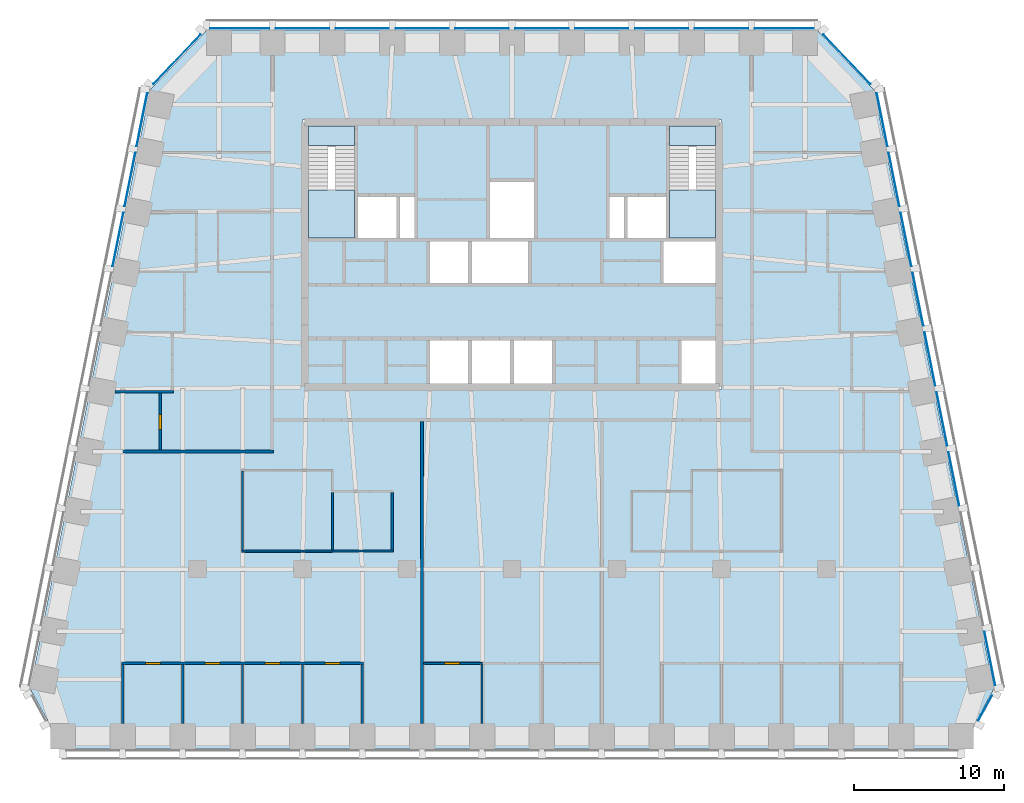
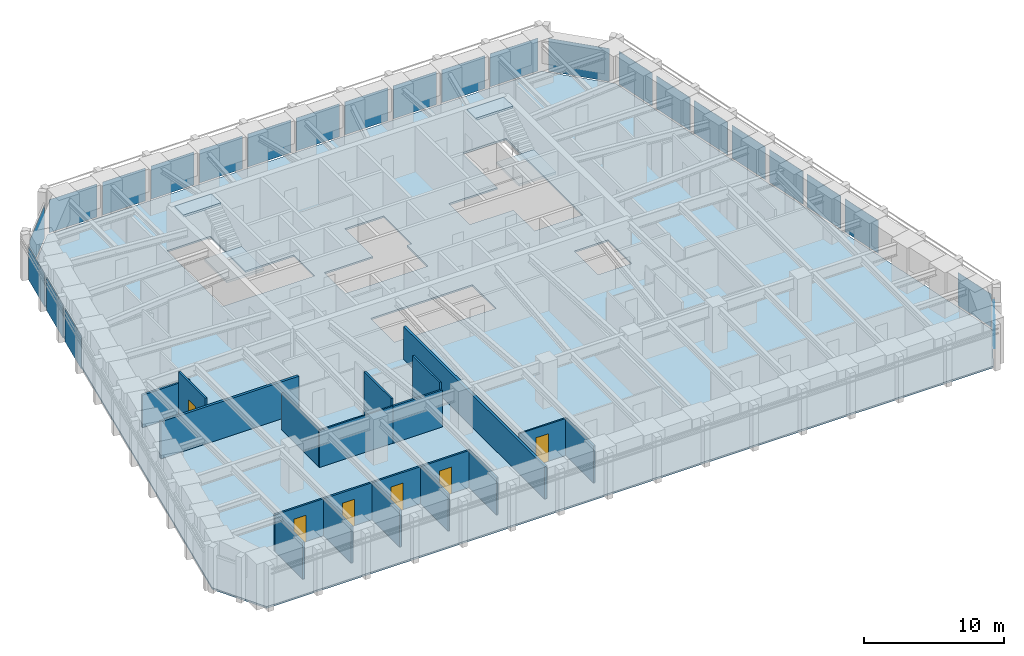
# One storey, part 5 of 11: 24 plates, 17 walls, 6 doors, 5 slabs, 6 openings, 8 elements without a shape of their own.
"""IFC4 building model written with IfcOpenShell, lengths in metres."""

from ifc_helpers import new_model, si_unit, direction, frame, frame_2d, origin, origin_2d, place, context, subcontext, project, spatial, polyline, rectangle, outline, extrude, material, layer, layer_set, type_object, element, fill, aggregate, save


model = new_model("IFC4")

# Units and contexts
model_context = context("Model", 3, precision=1e-05, world=origin(), true_north=direction((0.0, 1.0)))
body_context = subcontext(model_context, "Body", "Model", "MODEL_VIEW")
ifc_project = project(units=[si_unit("LENGTHUNIT", "METRE"), si_unit("AREAUNIT", "SQUARE_METRE"), si_unit("VOLUMEUNIT", "CUBIC_METRE"), si_unit("PLANEANGLEUNIT", "RADIAN"), si_unit("MASSUNIT", "GRAM", prefix="KILO")], contexts=[model_context])

# Site, building, storey
site_placement = place(None, origin())
site = spatial("IfcSite", under=ifc_project, at=site_placement, CompositionType="ELEMENT")
building_placement = place(site_placement, origin())
building = spatial("IfcBuilding", under=site, at=building_placement, Name="Isbrekke Arena Tower", CompositionType="ELEMENT")
storey_placement = place(building_placement, frame((0.0, 0.0, 248.0)))
storey = spatial("IfcBuildingStorey", under=building, at=storey_placement, Name="L57", CompositionType="ELEMENT", Elevation=248.0)

# Curtain wall, plate
ifc_material_1 = material(Name="Glazed aluminium curtain wall", Category="aluminium")
curtain_wall_type = type_object("IfcCurtainWallType", Name="CWT TOWER CURTAIN WALL TOP ZONE", PredefinedType="USERDEFINED", material=ifc_material_1)
curtain_wall_1_placement = place(storey_placement, origin())
curtain_wall_1 = element("IfcCurtainWall", 1, at=curtain_wall_1_placement, inside=storey, type_object=curtain_wall_type, Name="CWT curtain wall L57-SE", ObjectType="TOWER CURTAIN WALL TOP ZONE", PredefinedType="USERDEFINED")
ifc_material_2 = material(Name="Triple-glazed clear glass unit", Category="glass")
ifc_layer_1 = layer(ifc_material_2, 0.031982421875)
ifc_layer_set_1 = layer_set([ifc_layer_1], Name="CWT-P VISION PANEL")
plate_type = type_object("IfcPlateType", Name="CWT-P VISION PANEL", PredefinedType="CURTAIN_PANEL", material=ifc_layer_set_1)
plate_1_placement = place(storey_placement, frame((31.604248046875, -15.29052734375, 0.02001953125), z_axis=(0.0, 0.0, 1.0), x_axis=(0.481918749773, 0.876215908676, 0.0)))
plate_1 = element("IfcPlate", 2, at=plate_1_placement, type_object=plate_type, Name="CWT-P panel 1", PredefinedType="CURTAIN_PANEL", context=body_context, shape_type="SweptSolid", body=[
    extrude(rectangle(XDim=1.876220703125, YDim=0.031982421875, at=origin_2d()), origin(), (0.0, 0.0, 1.0), 2.8798828125),
])
aggregate(curtain_wall_1, [plate_1])

# Curtain wall, plates
curtain_wall_2_placement = place(storey_placement, origin())
curtain_wall_2 = element("IfcCurtainWall", 3, at=curtain_wall_2_placement, inside=storey, type_object=curtain_wall_type, Name="CWT curtain wall L57-E", ObjectType="TOWER CURTAIN WALL TOP ZONE", PredefinedType="USERDEFINED")
plate_2_placement = place(storey_placement, frame((31.922607421875, -11.9755859375, 0.02001953125), z_axis=(0.0, 0.0, 1.0), x_axis=(-0.196116135138, 0.980580675691, 0.0)))
plate_2 = element("IfcPlate", 4, at=plate_2_placement, type_object=plate_type, Name="CWT-P panel 1", PredefinedType="CURTAIN_PANEL", context=body_context, shape_type="SweptSolid", body=[
    extrude(rectangle(XDim=3.629150390625, YDim=0.031982421875, at=origin_2d()), origin(), (0.0, 0.0, 1.0), 2.8798828125),
])
plate_3_placement = place(storey_placement, frame((29.5224609375, 0.0244140625, 0.02001953125), z_axis=(0.0, 0.0, 1.0), x_axis=(-0.196116135138, 0.980580675691, 0.0)))
plate_3 = element("IfcPlate", 5, at=plate_3_placement, type_object=plate_type, Name="CWT-P panel 4", PredefinedType="CURTAIN_PANEL", context=body_context, shape_type="SweptSolid", body=[
    extrude(rectangle(XDim=3.629150390625, YDim=0.031982421875, at=origin_2d()), origin(), (0.0, 0.0, 1.0), 2.8798828125),
])
plate_4_placement = place(storey_placement, frame((28.72265625, 4.0244140625, 0.02001953125), z_axis=(0.0, 0.0, 1.0), x_axis=(-0.196116135138, 0.980580675691, 0.0)))
plate_4 = element("IfcPlate", 6, at=plate_4_placement, type_object=plate_type, Name="CWT-P panel 5", PredefinedType="CURTAIN_PANEL", context=body_context, shape_type="SweptSolid", body=[
    extrude(rectangle(XDim=3.629150390625, YDim=0.031982421875, at=origin_2d()), origin(), (0.0, 0.0, 1.0), 2.8798828125),
])
plate_5_placement = place(storey_placement, frame((27.922607421875, 8.0244140625, 0.02001953125), z_axis=(0.0, 0.0, 1.0), x_axis=(-0.196116135138, 0.980580675691, 0.0)))
plate_5 = element("IfcPlate", 7, at=plate_5_placement, type_object=plate_type, Name="CWT-P panel 6", PredefinedType="CURTAIN_PANEL", context=body_context, shape_type="SweptSolid", body=[
    extrude(rectangle(XDim=3.629150390625, YDim=0.031982421875, at=origin_2d()), origin(), (0.0, 0.0, 1.0), 2.8798828125),
])
plate_6_placement = place(storey_placement, frame((27.12255859375, 12.0244140625, 0.02001953125), z_axis=(0.0, 0.0, 1.0), x_axis=(-0.196116135138, 0.980580675691, 0.0)))
plate_6 = element("IfcPlate", 8, at=plate_6_placement, type_object=plate_type, Name="CWT-P panel 7", PredefinedType="CURTAIN_PANEL", context=body_context, shape_type="SweptSolid", body=[
    extrude(rectangle(XDim=3.629150390625, YDim=0.031982421875, at=origin_2d()), origin(), (0.0, 0.0, 1.0), 2.8798828125),
])
plate_7_placement = place(storey_placement, frame((26.322509765625, 16.0244140625, 0.02001953125), z_axis=(0.0, 0.0, 1.0), x_axis=(-0.196116135138, 0.980580675691, 0.0)))
plate_7 = element("IfcPlate", 9, at=plate_7_placement, type_object=plate_type, Name="CWT-P panel 8", PredefinedType="CURTAIN_PANEL", context=body_context, shape_type="SweptSolid", body=[
    extrude(rectangle(XDim=3.629150390625, YDim=0.031982421875, at=origin_2d()), origin(), (0.0, 0.0, 1.0), 2.8798828125),
])
plate_8_placement = place(storey_placement, frame((25.5224609375, 20.0244140625, 0.02001953125), z_axis=(0.0, 0.0, 1.0), x_axis=(-0.196116135138, 0.980580675691, 0.0)))
plate_8 = element("IfcPlate", 10, at=plate_8_placement, type_object=plate_type, Name="CWT-P panel 9", PredefinedType="CURTAIN_PANEL", context=body_context, shape_type="SweptSolid", body=[
    extrude(rectangle(XDim=3.629150390625, YDim=0.031982421875, at=origin_2d()), origin(), (0.0, 0.0, 1.0), 2.8798828125),
])
plate_9_placement = place(storey_placement, frame((24.72265625, 24.0244140625, 0.02001953125), z_axis=(0.0, 0.0, 1.0), x_axis=(-0.196116135138, 0.980580675691, 0.0)))
plate_9 = element("IfcPlate", 11, at=plate_9_placement, type_object=plate_type, Name="CWT-P panel 10", PredefinedType="CURTAIN_PANEL", context=body_context, shape_type="SweptSolid", body=[
    extrude(rectangle(XDim=3.629150390625, YDim=0.031982421875, at=origin_2d()), origin(), (0.0, 0.0, 1.0), 2.8798828125),
])
aggregate(curtain_wall_2, [plate_2, plate_3, plate_4, plate_5, plate_6, plate_7, plate_8, plate_9])

# Curtain wall, plate
curtain_wall_3_placement = place(storey_placement, origin())
curtain_wall_3 = element("IfcCurtainWall", 12, at=curtain_wall_3_placement, inside=storey, type_object=curtain_wall_type, Name="CWT curtain wall L57-EN", ObjectType="TOWER CURTAIN WALL TOP ZONE", PredefinedType="USERDEFINED")
plate_10_placement = place(storey_placement, frame((22.374755859375, 28.06640625, 0.02001953125), z_axis=(0.0, 0.0, 1.0), x_axis=(-0.68874946192, 0.72499943359, 0.0)))
plate_10 = element("IfcPlate", 13, at=plate_10_placement, type_object=plate_type, Name="CWT-P panel 1", PredefinedType="CURTAIN_PANEL", context=body_context, shape_type="SweptSolid", body=[
    extrude(rectangle(XDim=4.558349609375, YDim=0.031982421875, at=origin_2d()), origin(), (0.0, 0.0, 1.0), 2.8798828125),
])
aggregate(curtain_wall_3, [plate_10])

# Curtain wall, plates
curtain_wall_4_placement = place(storey_placement, origin())
curtain_wall_4 = element("IfcCurtainWall", 14, at=curtain_wall_4_placement, inside=storey, type_object=curtain_wall_type, Name="CWT curtain wall L57-N", ObjectType="TOWER CURTAIN WALL TOP ZONE", PredefinedType="USERDEFINED")
plate_11_placement = place(storey_placement, frame((18.199951171875, 30.125, 0.02001953125), z_axis=(0.0, 0.0, 1.0), x_axis=(-1.0, 0.0, 0.0)))
plate_11 = element("IfcPlate", 15, at=plate_11_placement, type_object=plate_type, Name="CWT-P panel 1", PredefinedType="CURTAIN_PANEL", context=body_context, shape_type="SweptSolid", body=[
    extrude(rectangle(XDim=3.949951171875, YDim=0.031982421875, at=origin_2d()), origin(), (0.0, 0.0, 1.0), 2.8798828125),
])
plate_12_placement = place(storey_placement, frame((14.0, 30.125, 0.02001953125), z_axis=(0.0, 0.0, 1.0), x_axis=(-1.0, 0.0, 0.0)))
plate_12 = element("IfcPlate", 16, at=plate_12_placement, type_object=plate_type, Name="CWT-P panel 2", PredefinedType="CURTAIN_PANEL", context=body_context, shape_type="SweptSolid", body=[
    extrude(rectangle(XDim=3.550048828125, YDim=0.031982421875, at=origin_2d()), origin(), (0.0, 0.0, 1.0), 2.8798828125),
])
plate_13_placement = place(storey_placement, frame((10.0, 30.125, 0.02001953125), z_axis=(0.0, 0.0, 1.0), x_axis=(-1.0, 0.0, 0.0)))
plate_13 = element("IfcPlate", 17, at=plate_13_placement, type_object=plate_type, Name="CWT-P panel 3", PredefinedType="CURTAIN_PANEL", context=body_context, shape_type="SweptSolid", body=[
    extrude(rectangle(XDim=3.550048828125, YDim=0.031982421875, at=origin_2d()), origin(), (0.0, 0.0, 1.0), 2.8798828125),
])
plate_14_placement = place(storey_placement, frame((6.0, 30.125, 0.02001953125), z_axis=(0.0, 0.0, 1.0), x_axis=(-1.0, 0.0, 0.0)))
plate_14 = element("IfcPlate", 18, at=plate_14_placement, type_object=plate_type, Name="CWT-P panel 4", PredefinedType="CURTAIN_PANEL", context=body_context, shape_type="SweptSolid", body=[
    extrude(rectangle(XDim=3.550048828125, YDim=0.031982421875, at=origin_2d()), origin(), (0.0, 0.0, 1.0), 2.8798828125),
])
plate_15_placement = place(storey_placement, frame((2.0, 30.125, 0.02001953125), z_axis=(0.0, 0.0, 1.0), x_axis=(-1.0, 0.0, 0.0)))
plate_15 = element("IfcPlate", 19, at=plate_15_placement, type_object=plate_type, Name="CWT-P panel 5", PredefinedType="CURTAIN_PANEL", context=body_context, shape_type="SweptSolid", body=[
    extrude(rectangle(XDim=3.550048828125, YDim=0.031982421875, at=origin_2d()), origin(), (0.0, 0.0, 1.0), 2.8798828125),
])
plate_16_placement = place(storey_placement, frame((-2.0, 30.125, 0.02001953125), z_axis=(0.0, 0.0, 1.0), x_axis=(-1.0, 0.0, 0.0)))
plate_16 = element("IfcPlate", 20, at=plate_16_placement, type_object=plate_type, Name="CWT-P panel 6", PredefinedType="CURTAIN_PANEL", context=body_context, shape_type="SweptSolid", body=[
    extrude(rectangle(XDim=3.550048828125, YDim=0.031982421875, at=origin_2d()), origin(), (0.0, 0.0, 1.0), 2.8798828125),
])
plate_17_placement = place(storey_placement, frame((-6.0, 30.125, 0.02001953125), z_axis=(0.0, 0.0, 1.0), x_axis=(-1.0, 0.0, 0.0)))
plate_17 = element("IfcPlate", 21, at=plate_17_placement, type_object=plate_type, Name="CWT-P panel 7", PredefinedType="CURTAIN_PANEL", context=body_context, shape_type="SweptSolid", body=[
    extrude(rectangle(XDim=3.550048828125, YDim=0.031982421875, at=origin_2d()), origin(), (0.0, 0.0, 1.0), 2.8798828125),
])
plate_18_placement = place(storey_placement, frame((-10.0, 30.125, 0.02001953125), z_axis=(0.0, 0.0, 1.0), x_axis=(-1.0, 0.0, 0.0)))
plate_18 = element("IfcPlate", 22, at=plate_18_placement, type_object=plate_type, Name="CWT-P panel 8", PredefinedType="CURTAIN_PANEL", context=body_context, shape_type="SweptSolid", body=[
    extrude(rectangle(XDim=3.550048828125, YDim=0.031982421875, at=origin_2d()), origin(), (0.0, 0.0, 1.0), 2.8798828125),
])
plate_19_placement = place(storey_placement, frame((-14.0, 30.125, 0.02001953125), z_axis=(0.0, 0.0, 1.0), x_axis=(-1.0, 0.0, 0.0)))
plate_19 = element("IfcPlate", 23, at=plate_19_placement, type_object=plate_type, Name="CWT-P panel 9", PredefinedType="CURTAIN_PANEL", context=body_context, shape_type="SweptSolid", body=[
    extrude(rectangle(XDim=3.550048828125, YDim=0.031982421875, at=origin_2d()), origin(), (0.0, 0.0, 1.0), 2.8798828125),
])
plate_20_placement = place(storey_placement, frame((-18.199951171875, 30.125, 0.02001953125), z_axis=(0.0, 0.0, 1.0), x_axis=(-1.0, 0.0, 0.0)))
plate_20 = element("IfcPlate", 24, at=plate_20_placement, type_object=plate_type, Name="CWT-P panel 10", PredefinedType="CURTAIN_PANEL", context=body_context, shape_type="SweptSolid", body=[
    extrude(rectangle(XDim=3.949951171875, YDim=0.031982421875, at=origin_2d()), origin(), (0.0, 0.0, 1.0), 2.8798828125),
])
aggregate(curtain_wall_4, [plate_11, plate_12, plate_13, plate_14, plate_15, plate_16, plate_17, plate_18, plate_19, plate_20])

# Curtain wall, plate
curtain_wall_5_placement = place(storey_placement, origin())
curtain_wall_5 = element("IfcCurtainWall", 25, at=curtain_wall_5_placement, inside=storey, type_object=curtain_wall_type, Name="CWT curtain wall L57-NW", ObjectType="TOWER CURTAIN WALL TOP ZONE", PredefinedType="USERDEFINED")
plate_21_placement = place(storey_placement, frame((-22.37451171875, 28.066650390625, 0.02001953125), z_axis=(0.0, 0.0, 1.0), x_axis=(-0.68874946192, -0.72499943359, 0.0)))
plate_21 = element("IfcPlate", 26, at=plate_21_placement, type_object=plate_type, Name="CWT-P panel 1", PredefinedType="CURTAIN_PANEL", context=body_context, shape_type="SweptSolid", body=[
    extrude(rectangle(XDim=4.557373046875, YDim=0.031982421875, at=origin_2d()), origin(), (0.0, 0.0, 1.0), 2.8798828125),
])
aggregate(curtain_wall_5, [plate_21])

# Curtain wall, plates
curtain_wall_6_placement = place(storey_placement, origin())
curtain_wall_6 = element("IfcCurtainWall", 27, at=curtain_wall_6_placement, inside=storey, type_object=curtain_wall_type, Name="CWT curtain wall L57-W", ObjectType="TOWER CURTAIN WALL TOP ZONE", PredefinedType="USERDEFINED")
plate_22_placement = place(storey_placement, frame((-24.72265625, 24.0244140625, 0.02001953125), z_axis=(0.0, 0.0, 1.0), x_axis=(-0.196116135138, -0.980580675691, 0.0)))
plate_22 = element("IfcPlate", 28, at=plate_22_placement, type_object=plate_type, Name="CWT-P panel 1", PredefinedType="CURTAIN_PANEL", context=body_context, shape_type="SweptSolid", body=[
    extrude(rectangle(XDim=3.629150390625, YDim=0.031982421875, at=origin_2d()), origin(), (0.0, 0.0, 1.0), 2.8798828125),
])
plate_23_placement = place(storey_placement, frame((-25.5224609375, 20.0244140625, 0.02001953125), z_axis=(0.0, 0.0, 1.0), x_axis=(-0.196116135138, -0.980580675691, 0.0)))
plate_23 = element("IfcPlate", 29, at=plate_23_placement, type_object=plate_type, Name="CWT-P panel 2", PredefinedType="CURTAIN_PANEL", context=body_context, shape_type="SweptSolid", body=[
    extrude(rectangle(XDim=3.629150390625, YDim=0.031982421875, at=origin_2d()), origin(), (0.0, 0.0, 1.0), 2.8798828125),
])
plate_24_placement = place(storey_placement, frame((-26.322509765625, 16.0244140625, 0.02001953125), z_axis=(0.0, 0.0, 1.0), x_axis=(-0.196116135138, -0.980580675691, 0.0)))
plate_24 = element("IfcPlate", 30, at=plate_24_placement, type_object=plate_type, Name="CWT-P panel 3", PredefinedType="CURTAIN_PANEL", context=body_context, shape_type="SweptSolid", body=[
    extrude(rectangle(XDim=3.629150390625, YDim=0.031982421875, at=origin_2d()), origin(), (0.0, 0.0, 1.0), 2.8798828125),
])
aggregate(curtain_wall_6, [plate_22, plate_23, plate_24])

# Slab
ifc_material_3 = material(Name="Concrete B35 (C35/45)", Category="concrete")
ifc_layer_2 = layer(ifc_material_3, 0.14990234375)
ifc_layer_set_2 = layer_set([ifc_layer_2], Name="FS1 COMPOSITE FLOOR 150")
slab_type_1 = type_object("IfcSlabType", Name="FS1 COMPOSITE FLOOR 150", PredefinedType="FLOOR", material=ifc_layer_set_2)
slab_1_placement = place(storey_placement, frame((0.0, 0.0, -0.14990234375)))
element("IfcSlab", 31, at=slab_1_placement, inside=storey, type_object=slab_type_1, Name="FS1 floor slab L57", PredefinedType="FLOOR", context=body_context, shape_type="SweptSolid", body=[
    extrude(outline(polyline([(-30.0, -18.0), (30.0, -18.0), (32.199951171875, -14.0), (24.199951171875, 26.0), (20.39990234375, 30.0), (-20.39990234375, 30.0), (-24.199951171875, 26.0), (-32.199951171875, -14.0), (-30.0, -18.0)]), holes=[polyline([(2.800048828125, 9.39990234375), (2.800048828125, 6.0), (-5.60009765625, 6.0), (-5.60009765625, 9.39990234375), (2.800048828125, 9.39990234375)]), polyline([(11.199951171875, 6.0), (11.199951171875, 9.39990234375), (14.0, 9.39990234375), (14.0, 6.0), (11.199951171875, 6.0)]), polyline([(-5.60009765625, 13.0), (-5.60009765625, 16.0), (-1.60009765625, 16.0), (-1.60009765625, 20.0), (1.60009765625, 20.0), (1.60009765625, 16.0), (1.199951171875, 16.0), (1.199951171875, 13.0), (-5.60009765625, 13.0)]), polyline([(14.0, 13.0), (10.0, 13.0), (10.0, 16.0), (6.39990234375, 16.0), (6.39990234375, 19.0), (10.39990234375, 19.0), (10.39990234375, 24.0), (14.0, 24.0), (14.0, 13.0)]), polyline([(-6.39990234375, 19.0), (-6.39990234375, 16.0), (-14.0, 16.0), (-14.0, 24.0), (-10.39990234375, 24.0), (-10.39990234375, 19.0), (-6.39990234375, 19.0)])]), origin(), (0.0, 0.0, 1.0), 0.14990234375),
])

# Stair, slabs
ifc_material_4 = material(Name="Concrete B45 (C45/55) precast", Category="concrete")
stair_type = type_object("IfcStairType", Name="ST40 STAIR 1300 WIDE, 24 RISERS 167", PredefinedType="HALF_TURN_STAIR", material=ifc_material_4)
stair_1_placement = place(storey_placement, origin())
stair_1 = element("IfcStair", 32, at=stair_1_placement, inside=storey, type_object=stair_type, Name="ST1 stair L57", PredefinedType="HALF_TURN_STAIR")
ifc_material_5 = material(Name="Concrete B35 (C35/45)", Category="concrete")
ifc_layer_3 = layer(ifc_material_5, 0.199951171875)
ifc_layer_set_3 = layer_set([ifc_layer_3], Name="SL1 STAIR LANDING 200")
slab_type_2 = type_object("IfcSlabType", Name="SL1 STAIR LANDING 200", PredefinedType="LANDING", material=ifc_layer_set_3)
slab_2_placement = place(storey_placement, frame((0.0, 0.0, 1.800048828125)))
slab_2 = element("IfcSlab", 33, at=slab_2_placement, type_object=slab_type_2, Name="ST1 landing 1", PredefinedType="LANDING", context=body_context, shape_type="SweptSolid", body=[
    extrude(outline(polyline([(-13.60009765625, 16.125), (-10.52490234375, 16.125), (-10.52490234375, 19.330078125), (-13.60009765625, 19.330078125), (-13.60009765625, 16.125)])), origin(), (0.0, 0.0, 1.0), 0.199951171875),
])
slab_3_placement = place(storey_placement, frame((0.0, 0.0, 3.800048828125)))
slab_3 = element("IfcSlab", 34, at=slab_3_placement, type_object=slab_type_2, Name="ST1 landing 2", PredefinedType="LANDING", context=body_context, shape_type="SweptSolid", body=[
    extrude(outline(polyline([(-13.60009765625, 22.300048828125), (-10.52490234375, 22.300048828125), (-10.52490234375, 23.60009765625), (-13.60009765625, 23.60009765625), (-13.60009765625, 22.300048828125)])), origin(), (0.0, 0.0, 1.0), 0.199951171875),
])
aggregate(stair_1, [slab_2, slab_3])

stair_2_placement = place(storey_placement, origin())
stair_2 = element("IfcStair", 35, at=stair_2_placement, inside=storey, type_object=stair_type, Name="ST2 stair L57", PredefinedType="HALF_TURN_STAIR")
slab_4_placement = place(storey_placement, frame((0.0, 0.0, 1.800048828125)))
slab_4 = element("IfcSlab", 36, at=slab_4_placement, type_object=slab_type_2, Name="ST2 landing 1", PredefinedType="LANDING", context=body_context, shape_type="SweptSolid", body=[
    extrude(outline(polyline([(10.52490234375, 16.125), (13.60009765625, 16.125), (13.60009765625, 19.330078125), (10.52490234375, 19.330078125), (10.52490234375, 16.125)])), origin(), (0.0, 0.0, 1.0), 0.199951171875),
])
slab_5_placement = place(storey_placement, frame((0.0, 0.0, 3.800048828125)))
slab_5 = element("IfcSlab", 37, at=slab_5_placement, type_object=slab_type_2, Name="ST2 landing 2", PredefinedType="LANDING", context=body_context, shape_type="SweptSolid", body=[
    extrude(outline(polyline([(10.52490234375, 22.300048828125), (13.60009765625, 22.300048828125), (13.60009765625, 23.60009765625), (10.52490234375, 23.60009765625), (10.52490234375, 22.300048828125)])), origin(), (0.0, 0.0, 1.0), 0.199951171875),
])
aggregate(stair_2, [slab_4, slab_5])

# Wall, openings, doors
ifc_material_6 = material(Name="Gypsum board partition on steel studs", Category="steel")
ifc_layer_4 = layer(ifc_material_6, 0.14990234375)
ifc_layer_set_4 = layer_set([ifc_layer_4], Name="IW1 PARTITION 150")
wall_type_1 = type_object("IfcWallType", Name="IW1 PARTITION 150", PredefinedType="PARTITIONING", material=ifc_layer_set_4)
wall_1_placement = place(storey_placement, frame((-26.074951171875, -12.300048828125, 0.0), z_axis=(0.0, 0.0, 1.0), x_axis=(1.0, 0.0, 0.0)))
wall_1 = element("IfcWall", 38, at=wall_1_placement, inside=storey, type_object=wall_type_1, Name="IW1 partition 150 L57", PredefinedType="PARTITIONING", context=body_context, shape_type="SweptSolid", body=[
    extrude(rectangle(XDim=16.14990234375, YDim=0.14990234375, at=frame_2d((8.074951171875, 0.0))), origin(), (0.0, 0.0, 1.0), 3.22998046875),
])
opening_1_placement = place(wall_1_placement, frame((1.574951171875, 0.0, 0.0)))
opening_1 = element("IfcOpeningElement", 39, at=opening_1_placement, cuts=wall_1, Name="Opening D10", PredefinedType="OPENING", context=body_context, shape_type="SweptSolid", body=[
    extrude(rectangle(XDim=1.0, YDim=2.300048828125, at=frame_2d((0.5, 1.14990234375))), frame((0.0, 0.08984375, 0.0), z_axis=(0.0, -1.0, 0.0), x_axis=(1.0, 0.0, 0.0)), (0.0, 0.0, 1.0), 0.1796875),
])
opening_2_placement = place(wall_1_placement, frame((5.574951171875, 0.0, 0.0)))
opening_2 = element("IfcOpeningElement", 40, at=opening_2_placement, cuts=wall_1, Name="Opening D10", PredefinedType="OPENING", context=body_context, shape_type="SweptSolid", body=[
    extrude(rectangle(XDim=1.0, YDim=2.300048828125, at=frame_2d((0.5, 1.14990234375))), frame((0.0, 0.08984375, 0.0), z_axis=(0.0, -1.0, 0.0), x_axis=(1.0, 0.0, 0.0)), (0.0, 0.0, 1.0), 0.1796875),
])
opening_3_placement = place(wall_1_placement, frame((9.574951171875, 0.0, 0.0)))
opening_3 = element("IfcOpeningElement", 41, at=opening_3_placement, cuts=wall_1, Name="Opening D10", PredefinedType="OPENING", context=body_context, shape_type="SweptSolid", body=[
    extrude(rectangle(XDim=1.0, YDim=2.300048828125, at=frame_2d((0.5, 1.14990234375))), frame((0.0, 0.08984375, 0.0), z_axis=(0.0, -1.0, 0.0), x_axis=(1.0, 0.0, 0.0)), (0.0, 0.0, 1.0), 0.1796875),
])
opening_4_placement = place(wall_1_placement, frame((13.574951171875, 0.0, 0.0)))
opening_4 = element("IfcOpeningElement", 42, at=opening_4_placement, cuts=wall_1, Name="Opening D10", PredefinedType="OPENING", context=body_context, shape_type="SweptSolid", body=[
    extrude(rectangle(XDim=1.0, YDim=2.300048828125, at=frame_2d((0.5, 1.14990234375))), frame((0.0, 0.08984375, 0.0), z_axis=(0.0, -1.0, 0.0), x_axis=(1.0, 0.0, 0.0)), (0.0, 0.0, 1.0), 0.1796875),
])
ifc_material_7 = material(Name="Timber door", Category="wood")
door_type_1 = type_object("IfcDoorType", Name="D10 OFFICE DOOR 1000 x 2300", OperationType="SINGLE_SWING_LEFT", PredefinedType="DOOR", material=ifc_material_7)
door_1_placement = place(opening_1_placement, origin())
door_1 = element("IfcDoor", 43, at=door_1_placement, inside=storey, type_object=door_type_1, Name="D10 office door L57", OperationType="SINGLE_SWING_LEFT", OverallHeight=2.300048828125, OverallWidth=1.0, PredefinedType="DOOR", context=body_context, shape_type="SweptSolid", body=[
    extrude(rectangle(XDim=1.0, YDim=2.300048828125, at=frame_2d((0.5, 1.14990234375))), frame((0.0, 0.07470703125, 0.0), z_axis=(0.0, -1.0, 0.0), x_axis=(1.0, 0.0, 0.0)), (0.0, 0.0, 1.0), 0.1494140625),
])
fill(opening_1, door_1)
door_2_placement = place(opening_2_placement, origin())
door_2 = element("IfcDoor", 44, at=door_2_placement, inside=storey, type_object=door_type_1, Name="D10 office door L57", OperationType="SINGLE_SWING_LEFT", OverallHeight=2.300048828125, OverallWidth=1.0, PredefinedType="DOOR", context=body_context, shape_type="SweptSolid", body=[
    extrude(rectangle(XDim=1.0, YDim=2.300048828125, at=frame_2d((0.5, 1.14990234375))), frame((0.0, 0.07470703125, 0.0), z_axis=(0.0, -1.0, 0.0), x_axis=(1.0, 0.0, 0.0)), (0.0, 0.0, 1.0), 0.1494140625),
])
fill(opening_2, door_2)
door_3_placement = place(opening_3_placement, origin())
door_3 = element("IfcDoor", 45, at=door_3_placement, inside=storey, type_object=door_type_1, Name="D10 office door L57", OperationType="SINGLE_SWING_LEFT", OverallHeight=2.300048828125, OverallWidth=1.0, PredefinedType="DOOR", context=body_context, shape_type="SweptSolid", body=[
    extrude(rectangle(XDim=1.0, YDim=2.300048828125, at=frame_2d((0.5, 1.14990234375))), frame((0.0, 0.07470703125, 0.0), z_axis=(0.0, -1.0, 0.0), x_axis=(1.0, 0.0, 0.0)), (0.0, 0.0, 1.0), 0.1494140625),
])
fill(opening_3, door_3)
door_4_placement = place(opening_4_placement, origin())
door_4 = element("IfcDoor", 46, at=door_4_placement, inside=storey, type_object=door_type_1, Name="D10 office door L57", OperationType="SINGLE_SWING_LEFT", OverallHeight=2.300048828125, OverallWidth=1.0, PredefinedType="DOOR", context=body_context, shape_type="SweptSolid", body=[
    extrude(rectangle(XDim=1.0, YDim=2.300048828125, at=frame_2d((0.5, 1.14990234375))), frame((0.0, 0.07470703125, 0.0), z_axis=(0.0, -1.0, 0.0), x_axis=(1.0, 0.0, 0.0)), (0.0, 0.0, 1.0), 0.1494140625),
])
fill(opening_4, door_4)

# Walls
wall_2_placement = place(storey_placement, frame((-12.0, -4.800048828125, 0.0), z_axis=(0.0, 0.0, 1.0), x_axis=(1.0, 0.0, 0.0)))
element("IfcWall", 47, at=wall_2_placement, inside=storey, type_object=wall_type_1, Name="IW1 partition 150 L57", PredefinedType="PARTITIONING", context=body_context, shape_type="SweptSolid", body=[
    extrude(rectangle(XDim=4.074951171875, YDim=0.14990234375, at=frame_2d((2.03759765625, 0.0))), origin(), (0.0, 0.0, 1.0), 3.22998046875),
])
wall_3_placement = place(storey_placement, frame((-26.523681640625, 5.840087890625, 0.0), z_axis=(0.0, 0.0, 1.0), x_axis=(1.0, 0.0, 0.0)))
element("IfcWall", 48, at=wall_3_placement, inside=storey, type_object=wall_type_1, Name="IW1 partition 150 L57", PredefinedType="PARTITIONING", context=body_context, shape_type="SweptSolid", body=[
    extrude(rectangle(XDim=3.898681640625, YDim=0.14990234375, at=frame_2d((1.94921875, 0.0))), origin(), (0.0, 0.0, 1.0), 2.842041015625),
])
wall_4_placement = place(storey_placement, frame((-26.0, -16.324951171875, 0.0), z_axis=(0.0, 0.0, 1.0), x_axis=(0.0, 1.0, 0.0)))
element("IfcWall", 49, at=wall_4_placement, inside=storey, type_object=wall_type_1, Name="IW1 partition 150 L57", PredefinedType="PARTITIONING", context=body_context, shape_type="SweptSolid", body=[
    extrude(rectangle(XDim=3.949951171875, YDim=0.14990234375, at=frame_2d((1.97509765625, 0.0))), origin(), (0.0, 0.0, 1.0), 3.22998046875),
])

# Wall, opening, door
wall_5_placement = place(storey_placement, frame((-23.5, 1.93994140625, 0.0), z_axis=(0.0, 0.0, 1.0), x_axis=(0.0, 1.0, 0.0)))
wall_5 = element("IfcWall", 50, at=wall_5_placement, inside=storey, type_object=wall_type_1, Name="IW1 partition 150 L57", PredefinedType="PARTITIONING", context=body_context, shape_type="SweptSolid", body=[
    extrude(rectangle(XDim=3.824951171875, YDim=0.14990234375, at=frame_2d((1.91259765625, 0.0))), origin(), (0.0, 0.0, 1.0), 3.85009765625),
])
opening_5_placement = place(wall_5_placement, frame((1.39990234375, 0.0, 0.0)))
opening_5 = element("IfcOpeningElement", 51, at=opening_5_placement, cuts=wall_5, Name="Opening D10", PredefinedType="OPENING", context=body_context, shape_type="SweptSolid", body=[
    extrude(rectangle(XDim=1.0, YDim=2.300048828125, at=frame_2d((0.5, 1.14990234375))), frame((0.0, 0.08984375, 0.0), z_axis=(0.0, -1.0, 0.0), x_axis=(1.0, 0.0, 0.0)), (0.0, 0.0, 1.0), 0.1796875),
])
door_5_placement = place(opening_5_placement, origin())
door_5 = element("IfcDoor", 52, at=door_5_placement, inside=storey, type_object=door_type_1, Name="D10 office door L57", OperationType="SINGLE_SWING_LEFT", OverallHeight=2.300048828125, OverallWidth=1.0, PredefinedType="DOOR", context=body_context, shape_type="SweptSolid", body=[
    extrude(rectangle(XDim=1.0, YDim=2.300048828125, at=frame_2d((0.5, 1.14990234375))), frame((0.0, 0.07470703125, 0.0), z_axis=(0.0, -1.0, 0.0), x_axis=(1.0, 0.0, 0.0)), (0.0, 0.0, 1.0), 0.1494140625),
])
fill(opening_5, door_5)

# Walls
for number, where, z_axis, x_axis, name in (
    (53, (-22.0, -16.324951171875, 0.0), (0.0, 0.0, 1.0), (0.0, 1.0, 0.0), "IW1 partition 150 L57"),
    (54, (-18.0, -16.324951171875, 0.0), (0.0, 0.0, 1.0), (0.0, 1.0, 0.0), "IW1 partition 150 L57"),
    (55, (-14.0, -16.324951171875, 0.0), (0.0, 0.0, 1.0), (0.0, 1.0, 0.0), "IW1 partition 150 L57"),
):
    element("IfcWall", number, at=place(storey_placement, frame(where, z_axis=z_axis, x_axis=x_axis)), inside=storey, type_object=wall_type_1, Name=name, PredefinedType="PARTITIONING", context=body_context, shape_type="SweptSolid", body=[
        extrude(rectangle(XDim=3.949951171875, YDim=0.14990234375, at=frame_2d((1.97509765625, 0.0))), origin(), (0.0, 0.0, 1.0), 3.22998046875),
    ])
wall_6_placement = place(storey_placement, frame((-12.0, -4.72509765625, 0.0), z_axis=(0.0, 0.0, 1.0), x_axis=(0.0, 1.0, 0.0)))
element("IfcWall", 56, at=wall_6_placement, inside=storey, type_object=wall_type_1, Name="IW1 partition 150 L57", PredefinedType="PARTITIONING", context=body_context, shape_type="SweptSolid", body=[
    extrude(rectangle(XDim=3.85009765625, YDim=0.14990234375, at=frame_2d((1.925048828125, 0.0))), origin(), (0.0, 0.0, 1.0), 3.85009765625),
])
wall_7_placement = place(storey_placement, frame((-10.0, -16.324951171875, 0.0), z_axis=(0.0, 0.0, 1.0), x_axis=(0.0, 1.0, 0.0)))
element("IfcWall", 57, at=wall_7_placement, inside=storey, type_object=wall_type_1, Name="IW1 partition 150 L57", PredefinedType="PARTITIONING", context=body_context, shape_type="SweptSolid", body=[
    extrude(rectangle(XDim=3.949951171875, YDim=0.14990234375, at=frame_2d((1.97509765625, 0.0))), origin(), (0.0, 0.0, 1.0), 3.22998046875),
])
wall_8_placement = place(storey_placement, frame((-8.0, -4.72509765625, 0.0), z_axis=(0.0, 0.0, 1.0), x_axis=(0.0, 1.0, 0.0)))
element("IfcWall", 58, at=wall_8_placement, inside=storey, type_object=wall_type_1, Name="IW1 partition 150 L57", PredefinedType="PARTITIONING", context=body_context, shape_type="SweptSolid", body=[
    extrude(rectangle(XDim=3.85009765625, YDim=0.14990234375, at=frame_2d((1.925048828125, 0.0))), origin(), (0.0, 0.0, 1.0), 3.85009765625),
])
wall_9_placement = place(storey_placement, frame((-2.0, -16.324951171875, 0.0), z_axis=(0.0, 0.0, 1.0), x_axis=(0.0, 1.0, 0.0)))
element("IfcWall", 59, at=wall_9_placement, inside=storey, type_object=wall_type_1, Name="IW1 partition 150 L57", PredefinedType="PARTITIONING", context=body_context, shape_type="SweptSolid", body=[
    extrude(rectangle(XDim=3.949951171875, YDim=0.14990234375, at=frame_2d((1.97509765625, 0.0))), origin(), (0.0, 0.0, 1.0), 3.22998046875),
])

# Wall, opening, door
ifc_material_8 = material(Name="Frameless glazed partition, laminated acoustic glass", Category="glass")
ifc_layer_5 = layer(ifc_material_8, 0.1201171875)
ifc_layer_set_5 = layer_set([ifc_layer_5], Name="IW2 GLAZED PARTITION 120")
wall_type_2 = type_object("IfcWallType", Name="IW2 GLAZED PARTITION 120", PredefinedType="PARTITIONING", material=ifc_layer_set_5)
wall_10_placement = place(storey_placement, frame((-5.89990234375, -12.300048828125, 0.0), z_axis=(0.0, 0.0, 1.0), x_axis=(1.0, 0.0, 0.0)))
wall_10 = element("IfcWall", 60, at=wall_10_placement, inside=storey, type_object=wall_type_2, Name="IW2 glazed partition 120 L57", PredefinedType="PARTITIONING", context=body_context, shape_type="SweptSolid", body=[
    extrude(rectangle(XDim=3.89990234375, YDim=0.1201171875, at=frame_2d((1.949951171875, 0.0))), origin(), (0.0, 0.0, 1.0), 3.22998046875),
])
opening_6_placement = place(wall_10_placement, frame((1.39990234375, 0.0, 0.0)))
opening_6 = element("IfcOpeningElement", 61, at=opening_6_placement, cuts=wall_10, Name="Opening D11", PredefinedType="OPENING", context=body_context, shape_type="SweptSolid", body=[
    extrude(rectangle(XDim=1.0, YDim=2.39990234375, at=frame_2d((0.5, 1.199951171875))), frame((0.0, 0.074951171875, 0.0), z_axis=(0.0, -1.0, 0.0), x_axis=(1.0, 0.0, 0.0)), (0.0, 0.0, 1.0), 0.14990234375),
])
ifc_material_9 = material(Name="Frameless glazed door", Category="glass")
door_type_2 = type_object("IfcDoorType", Name="D11 GLAZED MEETING ROOM DOOR 1000 x 2400", OperationType="SINGLE_SWING_RIGHT", PredefinedType="DOOR", material=ifc_material_9)
door_6_placement = place(opening_6_placement, origin())
door_6 = element("IfcDoor", 62, at=door_6_placement, inside=storey, type_object=door_type_2, Name="D11 meeting room door L57", OperationType="SINGLE_SWING_RIGHT", OverallHeight=2.39990234375, OverallWidth=1.0, PredefinedType="DOOR", context=body_context, shape_type="SweptSolid", body=[
    extrude(rectangle(XDim=1.0, YDim=2.39990234375, at=frame_2d((0.5, 1.199951171875))), frame((0.0, 0.059814453125, 0.0), z_axis=(0.0, -1.0, 0.0), x_axis=(1.0, 0.0, 0.0)), (0.0, 0.0, 1.0), 0.11962890625),
])
fill(opening_6, door_6)

# Walls
wall_11_placement = place(storey_placement, frame((-18.06005859375, -4.800048828125, 0.0), z_axis=(0.0, 0.0, 1.0), x_axis=(1.0, 0.0, 0.0)))
element("IfcWall", 63, at=wall_11_placement, inside=storey, type_object=wall_type_2, Name="IW2 glazed partition 120 L57", PredefinedType="PARTITIONING", context=body_context, shape_type="SweptSolid", body=[
    extrude(rectangle(XDim=6.06005859375, YDim=0.1201171875, at=frame_2d((3.030029296875, 0.0))), origin(), (0.0, 0.0, 1.0), 3.22998046875),
])
wall_12_placement = place(storey_placement, frame((-18.0, -4.739990234375, 0.0), z_axis=(0.0, 0.0, 1.0), x_axis=(0.0, 1.0, 0.0)))
element("IfcWall", 64, at=wall_12_placement, inside=storey, type_object=wall_type_2, Name="IW2 glazed partition 120 L57", PredefinedType="PARTITIONING", context=body_context, shape_type="SweptSolid", body=[
    extrude(rectangle(XDim=5.280029296875, YDim=0.1201171875, at=frame_2d((2.64013671875, 0.0))), origin(), (0.0, 0.0, 1.0), 3.22998046875),
])
ifc_material_10 = material(Name="Gypsum board fire-cell wall on steel studs, two layers each side", Category="steel")
ifc_layer_6 = layer(ifc_material_10, 0.199951171875)
ifc_layer_set_6 = layer_set([ifc_layer_6], Name="IW3 FIRE-CELL WALL 200")
wall_type_3 = type_object("IfcWallType", Name="IW3 FIRE-CELL WALL 200", PredefinedType="PARTITIONING", material=ifc_layer_set_6)
wall_13_placement = place(storey_placement, frame((-27.32373046875, 1.840087890625, 0.0), z_axis=(0.0, 0.0, 1.0), x_axis=(1.0, 0.0, 0.0)))
element("IfcWall", 65, at=wall_13_placement, inside=storey, type_object=wall_type_3, Name="IW3 fire-cell wall 200 L57", PredefinedType="PARTITIONING", context=body_context, shape_type="SweptSolid", body=[
    extrude(rectangle(XDim=11.373779296875, YDim=0.199951171875, at=frame_2d((5.68701171875, 0.0))), origin(), (0.0, 0.0, 1.0), 3.22998046875),
])
wall_14_placement = place(storey_placement, frame((-6.0, -16.324951171875, 0.0), z_axis=(0.0, 0.0, 1.0), x_axis=(0.0, 1.0, 0.0)))
element("IfcWall", 66, at=wall_14_placement, inside=storey, type_object=wall_type_3, Name="IW3 fire-cell wall 200 L57", PredefinedType="PARTITIONING", context=body_context, shape_type="SweptSolid", body=[
    extrude(rectangle(XDim=20.175048828125, YDim=0.199951171875, at=frame_2d((10.08740234375, 0.0))), origin(), (0.0, 0.0, 1.0), 2.842041015625),
])

save(model, "model.ifc")
